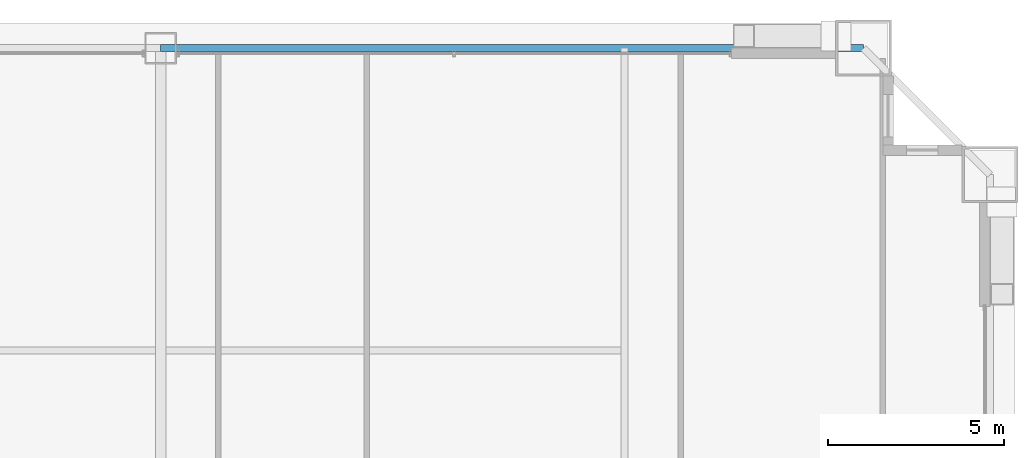
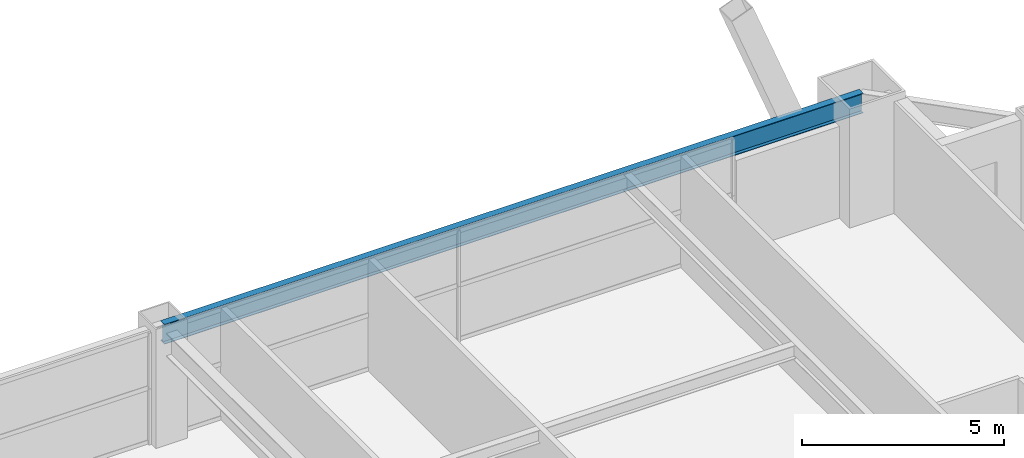
# One storey, part 34 of 41: 1 beam.
"""IFC4 building model written with IfcOpenShell, lengths in metres."""

from ifc_helpers import new_model, si_unit, direction, frame, origin, origin_2d, place, context, subcontext, project, spatial, i_section, extrude, source, transform, mapped, material, material_profile, profile_set, type_object, element, save


model = new_model("IFC4")

# Units and contexts
model_context = context("Model", 3, precision=1e-05, world=origin(), true_north=direction((0.0, 1.0)))
body_context = subcontext(model_context, "Body", "Model", "MODEL_VIEW")
ifc_project = project(units=[si_unit("LENGTHUNIT", "METRE"), si_unit("AREAUNIT", "SQUARE_METRE"), si_unit("VOLUMEUNIT", "CUBIC_METRE"), si_unit("PLANEANGLEUNIT", "RADIAN"), si_unit("MASSUNIT", "GRAM", prefix="KILO"), si_unit("THERMODYNAMICTEMPERATUREUNIT", "KELVIN"), si_unit("POWERUNIT", "WATT")], contexts=[model_context])

# Site, building, storey
site_placement = place(None, origin())
site = spatial("IfcSite", under=ifc_project, at=site_placement, CompositionType="ELEMENT")
building_placement = place(site_placement, origin())
building = spatial("IfcBuilding", under=site, at=building_placement, Name="Yuzanri Waterfront Tower", CompositionType="ELEMENT")
storey_placement = place(building_placement, frame((0.0, 0.0, 152.39990234375)))
storey = spatial("IfcBuildingStorey", under=building, at=storey_placement, Name="L40", CompositionType="ELEMENT", Elevation=152.39990234375)

# Beam
ifc_material = material(Name="Steel Q355B", Category="steel")
ifc_material_profile = material_profile(ifc_material, i_section(OverallWidth=0.199951171875, OverallDepth=0.60009765625, WebThickness=0.010986328125, FlangeThickness=0.01708984375, at=origin_2d()), Name="HN 600x200x11x17")
ifc_profile_set = profile_set([ifc_material_profile], Name="Steel Q355B")
beam_type = type_object("IfcBeamType", Name="Perimeter Spandrel Q355B HN 600x200", PredefinedType="SPANDREL", material=ifc_profile_set)
shared_shape = source(origin(), body_context, "Body", "SweptSolid", [
    extrude(i_section(OverallWidth=0.199951171875, OverallDepth=0.60009765625, WebThickness=0.010986328125, FlangeThickness=0.01708984375, at=origin_2d()), origin(), (0.0, 0.0, 1.0), 20.0),
])
beam_placement = place(storey_placement, frame((57.0, 49.39990234375, 3.080078125), z_axis=(-1.0, 0.0, 0.0), x_axis=(0.0, -1.0, 0.0)))
element("IfcBeam", 1, at=beam_placement, inside=storey, type_object=beam_type, Name="L40 Perimeter Spandrel N3-N2", PredefinedType="SPANDREL", context=body_context, shape_type="MappedRepresentation", body=[
    mapped(shared_shape, transform((0.0, 0.0, 0.0), scale=1.0)),
])

save(model, "model.ifc")
